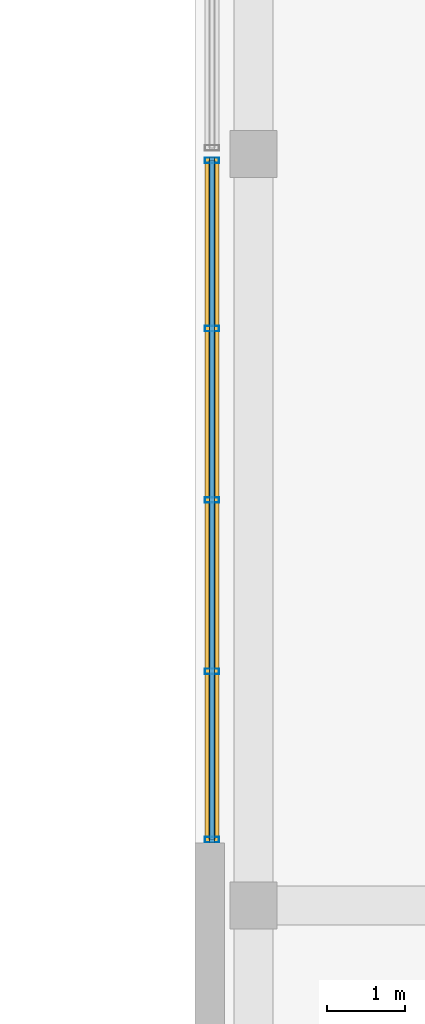
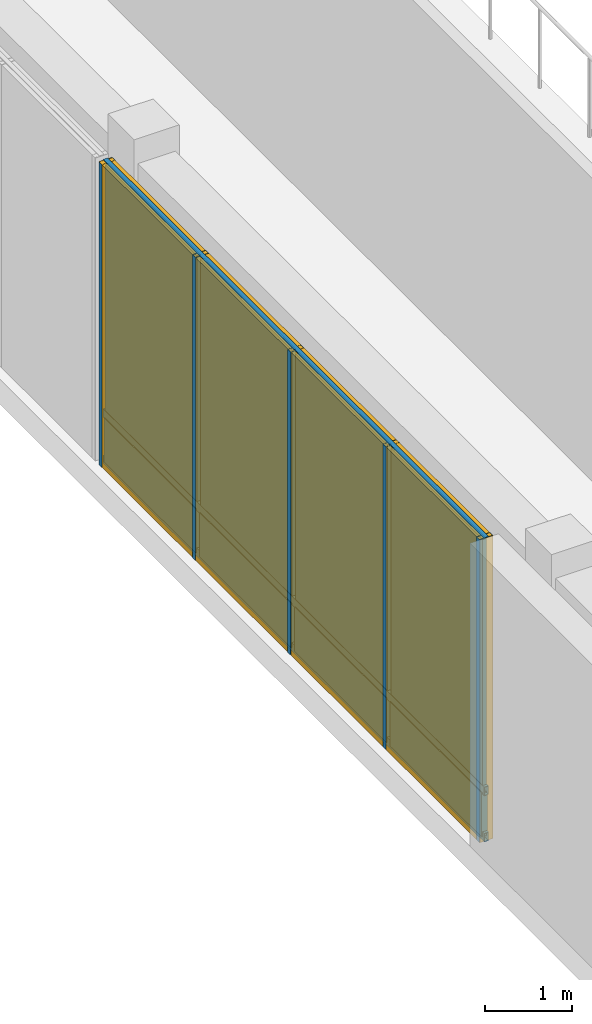
# One storey, part 16 of 24: 8 members, 8 plates, 1 curtain wall.
"""IFC4 building model written with IfcOpenShell, lengths in metres."""

from ifc_helpers import new_model, si_unit, direction, frame, frame_2d, origin, origin_2d, place, context, subcontext, project, spatial, rectangle, hollow_rectangle, extrude, material, layer, layer_set, material_profile, profile_set, type_object, element, aggregate, save


model = new_model("IFC4")

# Units and contexts
model_context = context("Model", 3, precision=1e-05, world=origin(), true_north=direction((0.0, 1.0)))
body_context = subcontext(model_context, "Body", "Model", "MODEL_VIEW")
ifc_project = project(units=[si_unit("LENGTHUNIT", "METRE"), si_unit("AREAUNIT", "SQUARE_METRE"), si_unit("VOLUMEUNIT", "CUBIC_METRE"), si_unit("PLANEANGLEUNIT", "RADIAN"), si_unit("MASSUNIT", "GRAM", prefix="KILO")], contexts=[model_context])

# Member
ifc_material_1 = material(Name="Anodized Aluminium 6063-T6", Category="aluminium")
ifc_material_profile_1 = material_profile(ifc_material_1, hollow_rectangle(XDim=0.070068359375, YDim=0.179931640625, WallThickness=0.00390625, at=origin_2d()), Name="Anodized Aluminium 6063-T6")
ifc_profile_set_1 = profile_set([ifc_material_profile_1], Name="Anodized Aluminium 6063-T6")
member_type_1 = type_object("IfcMemberType", Name="Curtain Wall Mullion 180", PredefinedType="MULLION", material=ifc_profile_set_1)
site_placement = place(None, origin())
building_placement = place(site_placement, origin())
storey_placement = place(building_placement, frame((0.0, 0.0, 10.39990234375)))
member_1_placement = place(storey_placement, frame((85.419921875, 20.0400390625, 0.0), z_axis=(0.0, 0.0, 1.0), x_axis=(0.0, 1.0, 0.0)))
member_1 = element("IfcMember", 1, at=member_1_placement, type_object=member_type_1, Name="Curtain Wall Mullion CW-L02-LREAD-1-M01", PredefinedType="MULLION", context=body_context, shape_type="SweptSolid", body=[
    extrude(hollow_rectangle(XDim=0.070068359375, YDim=0.179931640625, WallThickness=0.00390625, at=origin_2d()), origin(), (0.0, 0.0, 1.0), 4.25),
])

member_2_placement = place(storey_placement, frame((85.419921875, 22.18994140625, 0.0), z_axis=(0.0, 0.0, 1.0), x_axis=(0.0, 1.0, 0.0)))
member_2 = element("IfcMember", 2, at=member_2_placement, type_object=member_type_1, Name="Curtain Wall Mullion CW-L02-LREAD-1-M02", PredefinedType="MULLION", context=body_context, shape_type="SweptSolid", body=[
    extrude(hollow_rectangle(XDim=0.070068359375, YDim=0.179931640625, WallThickness=0.00390625, at=origin_2d()), origin(), (0.0, 0.0, 1.0), 4.25),
])

member_3_placement = place(storey_placement, frame((85.419921875, 24.3798828125, 0.0), z_axis=(0.0, 0.0, 1.0), x_axis=(0.0, 1.0, 0.0)))
member_3 = element("IfcMember", 3, at=member_3_placement, type_object=member_type_1, Name="Curtain Wall Mullion CW-L02-LREAD-1-M03", PredefinedType="MULLION", context=body_context, shape_type="SweptSolid", body=[
    extrude(hollow_rectangle(XDim=0.070068359375, YDim=0.179931640625, WallThickness=0.00390625, at=origin_2d()), origin(), (0.0, 0.0, 1.0), 4.25),
])

member_4_placement = place(storey_placement, frame((85.419921875, 26.570068359375, 0.0), z_axis=(0.0, 0.0, 1.0), x_axis=(0.0, 1.0, 0.0)))
member_4 = element("IfcMember", 4, at=member_4_placement, type_object=member_type_1, Name="Curtain Wall Mullion CW-L02-LREAD-1-M04", PredefinedType="MULLION", context=body_context, shape_type="SweptSolid", body=[
    extrude(hollow_rectangle(XDim=0.070068359375, YDim=0.179931640625, WallThickness=0.00390625, at=origin_2d()), origin(), (0.0, 0.0, 1.0), 4.25),
])

member_5_placement = place(storey_placement, frame((85.419921875, 28.719970703125, 0.0), z_axis=(0.0, 0.0, 1.0), x_axis=(0.0, 1.0, 0.0)))
member_5 = element("IfcMember", 5, at=member_5_placement, type_object=member_type_1, Name="Curtain Wall Mullion CW-L02-LREAD-1-M05", PredefinedType="MULLION", context=body_context, shape_type="SweptSolid", body=[
    extrude(hollow_rectangle(XDim=0.070068359375, YDim=0.179931640625, WallThickness=0.00390625, at=origin_2d()), origin(), (0.0, 0.0, 1.0), 4.25),
])

ifc_material_profile_2 = material_profile(ifc_material_1, hollow_rectangle(XDim=0.06005859375, YDim=0.1201171875, WallThickness=0.00341796875, at=origin_2d()), Name="Anodized Aluminium 6063-T6")
ifc_profile_set_2 = profile_set([ifc_material_profile_2], Name="Anodized Aluminium 6063-T6")
member_type_2 = type_object("IfcMemberType", Name="Curtain Wall Transom 120", PredefinedType="USERDEFINED", material=ifc_profile_set_2)
member_6_placement = place(storey_placement, frame((85.419921875, 20.0, 0.050048828125), z_axis=(0.0, 1.0, 0.0), x_axis=(-1.0, 0.0, 0.0)))
member_6 = element("IfcMember", 6, at=member_6_placement, type_object=member_type_2, Name="Curtain Wall Transom CW-L02-LREAD-1-T01", ObjectType="TRANSOM", PredefinedType="USERDEFINED", context=body_context, shape_type="SweptSolid", body=[
    extrude(hollow_rectangle(XDim=0.06005859375, YDim=0.1201171875, WallThickness=0.00341796875, at=origin_2d()), origin(), (0.0, 0.0, 1.0), 8.760009765625),
])

member_7_placement = place(storey_placement, frame((85.419921875, 20.0, 0.7001953125), z_axis=(0.0, 1.0, 0.0), x_axis=(-1.0, 0.0, 0.0)))
member_7 = element("IfcMember", 7, at=member_7_placement, type_object=member_type_2, Name="Curtain Wall Transom CW-L02-LREAD-1-T02", ObjectType="TRANSOM", PredefinedType="USERDEFINED", context=body_context, shape_type="SweptSolid", body=[
    extrude(hollow_rectangle(XDim=0.06005859375, YDim=0.1201171875, WallThickness=0.00341796875, at=origin_2d()), origin(), (0.0, 0.0, 1.0), 8.760009765625),
])

member_8_placement = place(storey_placement, frame((85.419921875, 20.0, 4.2001953125), z_axis=(0.0, 1.0, 0.0), x_axis=(-1.0, 0.0, 0.0)))
member_8 = element("IfcMember", 8, at=member_8_placement, type_object=member_type_2, Name="Curtain Wall Transom CW-L02-LREAD-1-T03", ObjectType="TRANSOM", PredefinedType="USERDEFINED", context=body_context, shape_type="SweptSolid", body=[
    extrude(hollow_rectangle(XDim=0.06005859375, YDim=0.1201171875, WallThickness=0.00341796875, at=origin_2d()), origin(), (0.0, 0.0, 1.0), 8.760009765625),
])

# Plate
ifc_material_2 = material(Name="Bird-Friendly Fritted Triple Glazing", Category="glass")
ifc_layer_1 = layer(ifc_material_2, 0.052001953125, Name="Bird-Friendly Fritted Triple Glazing")
ifc_layer_set_1 = layer_set([ifc_layer_1], Name="Bird-Friendly Fritted Triple Glazing")
plate_type_1 = type_object("IfcPlateType", Name="Plate CWGlazing 52", PredefinedType="CURTAIN_PANEL", material=ifc_layer_set_1)
plate_1_placement = place(storey_placement, frame((85.419921875, 21.094970703125, 0.740234375), z_axis=(0.0, 0.0, 1.0), x_axis=(0.0, 1.0, 0.0)))
plate_1 = element("IfcPlate", 9, at=plate_1_placement, type_object=plate_type_1, Name="Vision Glazing Panel CW-L02-LREAD-1-GL01", PredefinedType="CURTAIN_PANEL", context=body_context, shape_type="SweptSolid", body=[
    extrude(rectangle(XDim=2.110107421875, YDim=0.052001953125, at=origin_2d()), origin(), (0.0, 0.0, 1.0), 3.469970703125),
])

plate_2_placement = place(storey_placement, frame((85.419921875, 23.284912109375, 0.740234375), z_axis=(0.0, 0.0, 1.0), x_axis=(0.0, 1.0, 0.0)))
plate_2 = element("IfcPlate", 10, at=plate_2_placement, type_object=plate_type_1, Name="Vision Glazing Panel CW-L02-LREAD-1-GL02", PredefinedType="CURTAIN_PANEL", context=body_context, shape_type="SweptSolid", body=[
    extrude(rectangle(XDim=2.110107421875, YDim=0.052001953125, at=origin_2d()), origin(), (0.0, 0.0, 1.0), 3.469970703125),
])

plate_3_placement = place(storey_placement, frame((85.419921875, 25.47509765625, 0.740234375), z_axis=(0.0, 0.0, 1.0), x_axis=(0.0, 1.0, 0.0)))
plate_3 = element("IfcPlate", 11, at=plate_3_placement, type_object=plate_type_1, Name="Vision Glazing Panel CW-L02-LREAD-1-GL03", PredefinedType="CURTAIN_PANEL", context=body_context, shape_type="SweptSolid", body=[
    extrude(rectangle(XDim=2.110107421875, YDim=0.052001953125, at=origin_2d()), origin(), (0.0, 0.0, 1.0), 3.469970703125),
])

plate_4_placement = place(storey_placement, frame((85.419921875, 27.6650390625, 0.740234375), z_axis=(0.0, 0.0, 1.0), x_axis=(0.0, 1.0, 0.0)))
plate_4 = element("IfcPlate", 12, at=plate_4_placement, type_object=plate_type_1, Name="Vision Glazing Panel CW-L02-LREAD-1-GL04", PredefinedType="CURTAIN_PANEL", context=body_context, shape_type="SweptSolid", body=[
    extrude(rectangle(XDim=2.110107421875, YDim=0.052001953125, at=origin_2d()), origin(), (0.0, 0.0, 1.0), 3.469970703125),
])

ifc_material_3 = material(Name="Insulated Aluminium Spandrel Panel", Category="aluminium")
ifc_layer_2 = layer(ifc_material_3, 0.080078125, Name="Insulated Aluminium Spandrel Panel")
ifc_layer_set_2 = layer_set([ifc_layer_2], Name="Insulated Aluminium Spandrel Panel")
plate_type_2 = type_object("IfcPlateType", Name="Plate CWSpandrel 80", PredefinedType="SHEET", material=ifc_layer_set_2)
plate_5_placement = place(storey_placement, frame((85.419921875, 21.094970703125, 0.0400390625), z_axis=(0.0, 0.0, 1.0), x_axis=(0.0, 1.0, 0.0)))
plate_5 = element("IfcPlate", 13, at=plate_5_placement, type_object=plate_type_2, Name="Spandrel Panel CW-L02-LREAD-1-SP01", PredefinedType="SHEET", context=body_context, shape_type="SweptSolid", body=[
    extrude(rectangle(XDim=2.110107421875, YDim=0.080078125, at=origin_2d()), origin(), (0.0, 0.0, 1.0), 0.6201171875),
])

plate_6_placement = place(storey_placement, frame((85.419921875, 23.284912109375, 0.0400390625), z_axis=(0.0, 0.0, 1.0), x_axis=(0.0, 1.0, 0.0)))
plate_6 = element("IfcPlate", 14, at=plate_6_placement, type_object=plate_type_2, Name="Spandrel Panel CW-L02-LREAD-1-SP02", PredefinedType="SHEET", context=body_context, shape_type="SweptSolid", body=[
    extrude(rectangle(XDim=2.110107421875, YDim=0.080078125, at=origin_2d()), origin(), (0.0, 0.0, 1.0), 0.6201171875),
])

plate_7_placement = place(storey_placement, frame((85.419921875, 25.47509765625, 0.0400390625), z_axis=(0.0, 0.0, 1.0), x_axis=(0.0, 1.0, 0.0)))
plate_7 = element("IfcPlate", 15, at=plate_7_placement, type_object=plate_type_2, Name="Spandrel Panel CW-L02-LREAD-1-SP03", PredefinedType="SHEET", context=body_context, shape_type="SweptSolid", body=[
    extrude(rectangle(XDim=2.110107421875, YDim=0.080078125, at=origin_2d()), origin(), (0.0, 0.0, 1.0), 0.6201171875),
])

plate_8_placement = place(storey_placement, frame((85.419921875, 27.6650390625, 0.0400390625), z_axis=(0.0, 0.0, 1.0), x_axis=(0.0, 1.0, 0.0)))
plate_8 = element("IfcPlate", 16, at=plate_8_placement, type_object=plate_type_2, Name="Spandrel Panel CW-L02-LREAD-1-SP04", PredefinedType="SHEET", context=body_context, shape_type="SweptSolid", body=[
    extrude(rectangle(XDim=2.110107421875, YDim=0.080078125, at=origin_2d()), origin(), (0.0, 0.0, 1.0), 0.6201171875),
])

# Site, building, storey
site = spatial("IfcSite", under=ifc_project, at=site_placement, CompositionType="ELEMENT")
building = spatial("IfcBuilding", under=site, at=building_placement, Name="Norrvale University Quadrangle", CompositionType="ELEMENT")
storey = spatial("IfcBuildingStorey", under=building, at=storey_placement, Name="L02", CompositionType="ELEMENT", Elevation=10.39990234375)

# Curtain wall
ifc_material_4 = material(Name="Anodized Aluminium and Triple Glazing", Category="glass")
curtain_wall_type = type_object("IfcCurtainWallType", Name="Curtain Wall System 4 Lib Reading", PredefinedType="NOTDEFINED", material=ifc_material_4)
curtain_wall_placement = place(storey_placement, frame((85.419921875, 20.0, 0.0), z_axis=(0.0, 0.0, 1.0), x_axis=(0.0, 1.0, 0.0)))
curtain_wall = element("IfcCurtainWall", 17, at=curtain_wall_placement, inside=storey, type_object=curtain_wall_type, Name="Curtain Wall CW System 4 Lib Reading CW-L02-LREAD-1", PredefinedType="NOTDEFINED", context=body_context, shape_type="SweptSolid", body=[
    extrude(rectangle(XDim=8.760009765625, YDim=0.175048828125, at=frame_2d((4.3798828125, 0.0))), origin(), (0.0, 0.0, 1.0), 4.25),
])

aggregate(curtain_wall, [member_1, member_2, member_3, member_4, member_5, member_6, member_7, member_8, plate_5, plate_1, plate_6, plate_2, plate_7, plate_3, plate_8, plate_4])

save(model, "model.ifc")
